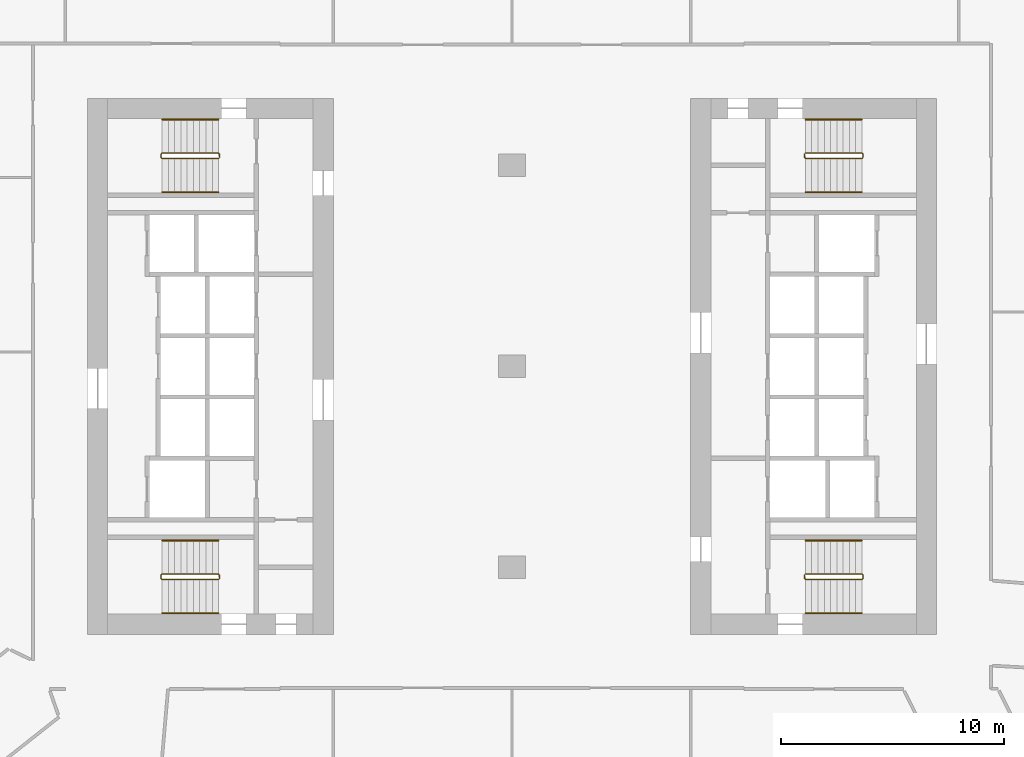
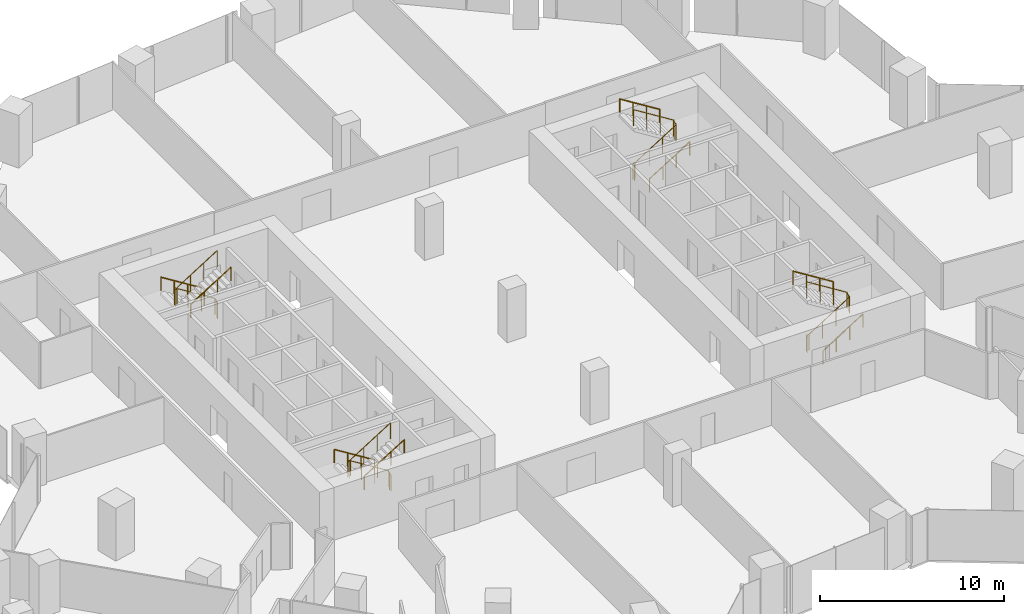
# One storey, part 34 of 34: 12 railings.
"""IFC4 building model written with IfcOpenShell, lengths in metres."""

from ifc_helpers import new_model, si_unit, direction, frame, origin, origin_2d, place, context, subcontext, project, spatial, circle, extrude, material, type_object, element, save


model = new_model("IFC4")

# Units and contexts
model_context = context("Model", 3, precision=1e-05, world=origin(), true_north=direction((0.0, 1.0)))
body_context = subcontext(model_context, "Body", "Model", "MODEL_VIEW")
ifc_project = project(units=[si_unit("LENGTHUNIT", "METRE"), si_unit("AREAUNIT", "SQUARE_METRE"), si_unit("VOLUMEUNIT", "CUBIC_METRE"), si_unit("PLANEANGLEUNIT", "RADIAN"), si_unit("MASSUNIT", "GRAM", prefix="KILO")], contexts=[model_context])

# Site, building, storey
site_placement = place(None, origin())
site = spatial("IfcSite", under=ifc_project, at=site_placement, CompositionType="ELEMENT")
building_placement = place(site_placement, origin())
building = spatial("IfcBuilding", under=site, at=building_placement, Name="Orlundy Tower", CompositionType="ELEMENT")
storey_placement = place(building_placement, frame((0.0, 0.0, 44.300048828125)))
storey = spatial("IfcBuildingStorey", under=building, at=storey_placement, Name="L09", CompositionType="ELEMENT", Elevation=44.300048828125)

# Railings
ifc_material_1 = material(Name="Steel balustrade", Category="steel")
railing_type_1 = type_object("IfcRailingType", Name="Stair Guard 1100", PredefinedType="GUARDRAIL", material=ifc_material_1)
railing_1_placement = place(storey_placement, frame((-13.090087890625, 9.5, 0.0)))
element("IfcRailing", 1, at=railing_1_placement, inside=storey, type_object=railing_type_1, Name="L09 ST-W1 stair guard 1", PredefinedType="GUARDRAIL", context=body_context, shape_type="SweptSolid", body=[
    extrude(circle(Radius=0.02392578125, at=origin_2d()), frame((0.0, 0.0, 1.076171875), z_axis=(0.0, -1.0, 0.0), x_axis=(1.0, 0.0, 0.0)), (0.0, 0.0, 1.0), 0.14990234375),
    extrude(circle(Radius=0.02392578125, at=origin_2d()), frame((0.0, -0.14990234375, 1.076171875), z_axis=(-0.18420542264, 0.739530593833, 0.647427882513), x_axis=(-0.970351222016, -0.241699205484, 0.0)), (0.0, 0.0, 1.0), 0.270263671875),
    extrude(circle(Radius=0.02392578125, at=origin_2d()), frame((-0.0498046875, 0.050048828125, 1.2509765625), z_axis=(-0.848007534815, 0.0, 0.529984170421), x_axis=(0.0, -1.0, 0.0)), (0.0, 0.0, 1.0), 2.9716796875),
    extrude(circle(Radius=0.02392578125, at=origin_2d()), frame((-2.56982421875, 0.050048828125, 2.826171875), z_axis=(-0.707106781187, -0.707106781187, 0.0), x_axis=(0.707106781187, -0.707106781187, 0.0)), (0.0, 0.0, 1.0), 0.07080078125),
    extrude(circle(Radius=0.02392578125, at=origin_2d()), frame((-2.619873046875, 0.0, 2.826171875), z_axis=(0.0, -1.0, 0.0), x_axis=(1.0, 0.0, 0.0)), (0.0, 0.0, 1.0), 0.14990234375),
    extrude(circle(Radius=0.02392578125, at=origin_2d()), frame((-2.619873046875, -0.14990234375, 2.826171875), z_axis=(0.265065253269, -0.265065253269, 0.927081885822), x_axis=(0.707106781187, 0.707106781187, 0.0)), (0.0, 0.0, 1.0), 0.188720703125),
    extrude(circle(Radius=0.02392578125, at=origin_2d()), frame((-2.56982421875, -0.199951171875, 3.0009765625), z_axis=(0.848007534815, 0.0, 0.529984170421), x_axis=(0.0, 1.0, 0.0)), (0.0, 0.0, 1.0), 2.9716796875),
    extrude(circle(Radius=0.02099609375, at=origin_2d()), origin(), (0.0, 0.0, 1.0), 1.052001953125),
    extrude(circle(Radius=0.02099609375, at=origin_2d()), frame((0.0, -0.14990234375, 0.0)), (0.0, 0.0, 1.0), 1.052001953125),
    extrude(circle(Radius=0.02099609375, at=origin_2d()), frame((-0.0498046875, 0.050048828125, 0.175048828125)), (0.0, 0.0, 1.0), 1.052001953125),
    extrude(circle(Radius=0.02099609375, at=origin_2d()), frame((-0.889892578125, 0.050048828125, 0.699951171875)), (0.0, 0.0, 1.0), 1.052001953125),
    extrude(circle(Radius=0.02099609375, at=origin_2d()), frame((-1.729736328125, 0.050048828125, 1.22509765625)), (0.0, 0.0, 1.0), 1.052001953125),
    extrude(circle(Radius=0.02099609375, at=origin_2d()), frame((-2.56982421875, 0.050048828125, 1.75)), (0.0, 0.0, 1.0), 1.052001953125),
    extrude(circle(Radius=0.02099609375, at=origin_2d()), frame((-2.619873046875, 0.0, 1.75)), (0.0, 0.0, 1.0), 1.052001953125),
    extrude(circle(Radius=0.02099609375, at=origin_2d()), frame((-2.619873046875, -0.14990234375, 1.75)), (0.0, 0.0, 1.0), 1.052001953125),
    extrude(circle(Radius=0.02099609375, at=origin_2d()), frame((-2.56982421875, -0.199951171875, 1.925048828125)), (0.0, 0.0, 1.0), 1.052001953125),
    extrude(circle(Radius=0.02099609375, at=origin_2d()), frame((-1.729736328125, -0.199951171875, 2.449951171875)), (0.0, 0.0, 1.0), 1.052001953125),
    extrude(circle(Radius=0.02099609375, at=origin_2d()), frame((-0.889892578125, -0.199951171875, 2.97509765625)), (0.0, 0.0, 1.0), 1.052001953125),
    extrude(circle(Radius=0.02099609375, at=origin_2d()), frame((-0.0498046875, -0.199951171875, 3.5)), (0.0, 0.0, 1.0), 1.052001953125),
])
railing_2_placement = place(storey_placement, frame((-13.090087890625, -9.35009765625, 0.0)))
element("IfcRailing", 2, at=railing_2_placement, inside=storey, type_object=railing_type_1, Name="L09 ST-W2 stair guard 1", PredefinedType="GUARDRAIL", context=body_context, shape_type="SweptSolid", body=[
    extrude(circle(Radius=0.02392578125, at=origin_2d()), frame((0.0, 0.0, 1.076171875), z_axis=(0.0, -1.0, 0.0), x_axis=(1.0, 0.0, 0.0)), (0.0, 0.0, 1.0), 0.14990234375),
    extrude(circle(Radius=0.02392578125, at=origin_2d()), frame((0.0, -0.14990234375, 1.076171875), z_axis=(-0.18420542264, 0.739530593833, 0.647427882513), x_axis=(-0.970351222016, -0.241699205484, 0.0)), (0.0, 0.0, 1.0), 0.270263671875),
    extrude(circle(Radius=0.02392578125, at=origin_2d()), frame((-0.0498046875, 0.050048828125, 1.2509765625), z_axis=(-0.848007534815, 0.0, 0.529984170421), x_axis=(0.0, -1.0, 0.0)), (0.0, 0.0, 1.0), 2.9716796875),
    extrude(circle(Radius=0.02392578125, at=origin_2d()), frame((-2.56982421875, 0.050048828125, 2.826171875), z_axis=(-0.707106781187, -0.707106781187, 0.0), x_axis=(0.707106781187, -0.707106781187, 0.0)), (0.0, 0.0, 1.0), 0.07080078125),
    extrude(circle(Radius=0.02392578125, at=origin_2d()), frame((-2.619873046875, 0.0, 2.826171875), z_axis=(0.0, -1.0, 0.0), x_axis=(1.0, 0.0, 0.0)), (0.0, 0.0, 1.0), 0.14990234375),
    extrude(circle(Radius=0.02392578125, at=origin_2d()), frame((-2.619873046875, -0.14990234375, 2.826171875), z_axis=(0.265065253269, -0.265065253269, 0.927081885822), x_axis=(0.707106781187, 0.707106781187, 0.0)), (0.0, 0.0, 1.0), 0.188720703125),
    extrude(circle(Radius=0.02392578125, at=origin_2d()), frame((-2.56982421875, -0.199951171875, 3.0009765625), z_axis=(0.848007534815, 0.0, 0.529984170421), x_axis=(0.0, 1.0, 0.0)), (0.0, 0.0, 1.0), 2.9716796875),
    extrude(circle(Radius=0.02099609375, at=origin_2d()), origin(), (0.0, 0.0, 1.0), 1.052001953125),
    extrude(circle(Radius=0.02099609375, at=origin_2d()), frame((0.0, -0.14990234375, 0.0)), (0.0, 0.0, 1.0), 1.052001953125),
    extrude(circle(Radius=0.02099609375, at=origin_2d()), frame((-0.0498046875, 0.050048828125, 0.175048828125)), (0.0, 0.0, 1.0), 1.052001953125),
    extrude(circle(Radius=0.02099609375, at=origin_2d()), frame((-0.889892578125, 0.050048828125, 0.699951171875)), (0.0, 0.0, 1.0), 1.052001953125),
    extrude(circle(Radius=0.02099609375, at=origin_2d()), frame((-1.729736328125, 0.050048828125, 1.22509765625)), (0.0, 0.0, 1.0), 1.052001953125),
    extrude(circle(Radius=0.02099609375, at=origin_2d()), frame((-2.56982421875, 0.050048828125, 1.75)), (0.0, 0.0, 1.0), 1.052001953125),
    extrude(circle(Radius=0.02099609375, at=origin_2d()), frame((-2.619873046875, 0.0, 1.75)), (0.0, 0.0, 1.0), 1.052001953125),
    extrude(circle(Radius=0.02099609375, at=origin_2d()), frame((-2.619873046875, -0.14990234375, 1.75)), (0.0, 0.0, 1.0), 1.052001953125),
    extrude(circle(Radius=0.02099609375, at=origin_2d()), frame((-2.56982421875, -0.199951171875, 1.925048828125)), (0.0, 0.0, 1.0), 1.052001953125),
    extrude(circle(Radius=0.02099609375, at=origin_2d()), frame((-1.729736328125, -0.199951171875, 2.449951171875)), (0.0, 0.0, 1.0), 1.052001953125),
    extrude(circle(Radius=0.02099609375, at=origin_2d()), frame((-0.889892578125, -0.199951171875, 2.97509765625)), (0.0, 0.0, 1.0), 1.052001953125),
    extrude(circle(Radius=0.02099609375, at=origin_2d()), frame((-0.0498046875, -0.199951171875, 3.5)), (0.0, 0.0, 1.0), 1.052001953125),
])
railing_3_placement = place(storey_placement, frame((13.090087890625, -9.5, 0.0)))
element("IfcRailing", 3, at=railing_3_placement, inside=storey, type_object=railing_type_1, Name="L09 ST-E1 stair guard 1", PredefinedType="GUARDRAIL", context=body_context, shape_type="SweptSolid", body=[
    extrude(circle(Radius=0.02392578125, at=origin_2d()), frame((0.0, 0.0, 1.076171875), z_axis=(0.0, 1.0, 0.0), x_axis=(-1.0, 0.0, 0.0)), (0.0, 0.0, 1.0), 0.14990234375),
    extrude(circle(Radius=0.02392578125, at=origin_2d()), frame((0.0, 0.14990234375, 1.076171875), z_axis=(0.18420542264, -0.739530593833, 0.647427882513), x_axis=(0.970351222016, 0.241699205484, 0.0)), (0.0, 0.0, 1.0), 0.270263671875),
    extrude(circle(Radius=0.02392578125, at=origin_2d()), frame((0.0498046875, -0.050048828125, 1.2509765625), z_axis=(0.848007534815, 0.0, 0.529984170421), x_axis=(0.0, 1.0, 0.0)), (0.0, 0.0, 1.0), 2.9716796875),
    extrude(circle(Radius=0.02392578125, at=origin_2d()), frame((2.56982421875, -0.050048828125, 2.826171875), z_axis=(0.707106781187, 0.707106781187, 0.0), x_axis=(-0.707106781187, 0.707106781187, 0.0)), (0.0, 0.0, 1.0), 0.07080078125),
    extrude(circle(Radius=0.02392578125, at=origin_2d()), frame((2.619873046875, 0.0, 2.826171875), z_axis=(0.0, 1.0, 0.0), x_axis=(-1.0, 0.0, 0.0)), (0.0, 0.0, 1.0), 0.14990234375),
    extrude(circle(Radius=0.02392578125, at=origin_2d()), frame((2.619873046875, 0.14990234375, 2.826171875), z_axis=(-0.265065253269, 0.265065253269, 0.927081885822), x_axis=(-0.707106781187, -0.707106781187, 0.0)), (0.0, 0.0, 1.0), 0.188720703125),
    extrude(circle(Radius=0.02392578125, at=origin_2d()), frame((2.56982421875, 0.199951171875, 3.0009765625), z_axis=(-0.848007534815, 0.0, 0.529984170421), x_axis=(0.0, -1.0, 0.0)), (0.0, 0.0, 1.0), 2.9716796875),
    extrude(circle(Radius=0.02099609375, at=origin_2d()), origin(), (0.0, 0.0, 1.0), 1.052001953125),
    extrude(circle(Radius=0.02099609375, at=origin_2d()), frame((0.0, 0.14990234375, 0.0)), (0.0, 0.0, 1.0), 1.052001953125),
    extrude(circle(Radius=0.02099609375, at=origin_2d()), frame((0.0498046875, -0.050048828125, 0.175048828125)), (0.0, 0.0, 1.0), 1.052001953125),
    extrude(circle(Radius=0.02099609375, at=origin_2d()), frame((0.889892578125, -0.050048828125, 0.699951171875)), (0.0, 0.0, 1.0), 1.052001953125),
    extrude(circle(Radius=0.02099609375, at=origin_2d()), frame((1.729736328125, -0.050048828125, 1.22509765625)), (0.0, 0.0, 1.0), 1.052001953125),
    extrude(circle(Radius=0.02099609375, at=origin_2d()), frame((2.56982421875, -0.050048828125, 1.75)), (0.0, 0.0, 1.0), 1.052001953125),
    extrude(circle(Radius=0.02099609375, at=origin_2d()), frame((2.619873046875, 0.0, 1.75)), (0.0, 0.0, 1.0), 1.052001953125),
    extrude(circle(Radius=0.02099609375, at=origin_2d()), frame((2.619873046875, 0.14990234375, 1.75)), (0.0, 0.0, 1.0), 1.052001953125),
    extrude(circle(Radius=0.02099609375, at=origin_2d()), frame((2.56982421875, 0.199951171875, 1.925048828125)), (0.0, 0.0, 1.0), 1.052001953125),
    extrude(circle(Radius=0.02099609375, at=origin_2d()), frame((1.729736328125, 0.199951171875, 2.449951171875)), (0.0, 0.0, 1.0), 1.052001953125),
    extrude(circle(Radius=0.02099609375, at=origin_2d()), frame((0.889892578125, 0.199951171875, 2.97509765625)), (0.0, 0.0, 1.0), 1.052001953125),
    extrude(circle(Radius=0.02099609375, at=origin_2d()), frame((0.0498046875, 0.199951171875, 3.5)), (0.0, 0.0, 1.0), 1.052001953125),
])
railing_4_placement = place(storey_placement, frame((13.090087890625, 9.35009765625, 0.0)))
element("IfcRailing", 4, at=railing_4_placement, inside=storey, type_object=railing_type_1, Name="L09 ST-E2 stair guard 1", PredefinedType="GUARDRAIL", context=body_context, shape_type="SweptSolid", body=[
    extrude(circle(Radius=0.02392578125, at=origin_2d()), frame((0.0, 0.0, 1.076171875), z_axis=(0.0, 1.0, 0.0), x_axis=(-1.0, 0.0, 0.0)), (0.0, 0.0, 1.0), 0.14990234375),
    extrude(circle(Radius=0.02392578125, at=origin_2d()), frame((0.0, 0.14990234375, 1.076171875), z_axis=(0.18420542264, -0.739530593833, 0.647427882513), x_axis=(0.970351222016, 0.241699205484, 0.0)), (0.0, 0.0, 1.0), 0.270263671875),
    extrude(circle(Radius=0.02392578125, at=origin_2d()), frame((0.0498046875, -0.050048828125, 1.2509765625), z_axis=(0.848007534815, 0.0, 0.529984170421), x_axis=(0.0, 1.0, 0.0)), (0.0, 0.0, 1.0), 2.9716796875),
    extrude(circle(Radius=0.02392578125, at=origin_2d()), frame((2.56982421875, -0.050048828125, 2.826171875), z_axis=(0.707106781187, 0.707106781187, 0.0), x_axis=(-0.707106781187, 0.707106781187, 0.0)), (0.0, 0.0, 1.0), 0.07080078125),
    extrude(circle(Radius=0.02392578125, at=origin_2d()), frame((2.619873046875, 0.0, 2.826171875), z_axis=(0.0, 1.0, 0.0), x_axis=(-1.0, 0.0, 0.0)), (0.0, 0.0, 1.0), 0.14990234375),
    extrude(circle(Radius=0.02392578125, at=origin_2d()), frame((2.619873046875, 0.14990234375, 2.826171875), z_axis=(-0.265065253269, 0.265065253269, 0.927081885822), x_axis=(-0.707106781187, -0.707106781187, 0.0)), (0.0, 0.0, 1.0), 0.188720703125),
    extrude(circle(Radius=0.02392578125, at=origin_2d()), frame((2.56982421875, 0.199951171875, 3.0009765625), z_axis=(-0.848007534815, 0.0, 0.529984170421), x_axis=(0.0, -1.0, 0.0)), (0.0, 0.0, 1.0), 2.9716796875),
    extrude(circle(Radius=0.02099609375, at=origin_2d()), origin(), (0.0, 0.0, 1.0), 1.052001953125),
    extrude(circle(Radius=0.02099609375, at=origin_2d()), frame((0.0, 0.14990234375, 0.0)), (0.0, 0.0, 1.0), 1.052001953125),
    extrude(circle(Radius=0.02099609375, at=origin_2d()), frame((0.0498046875, -0.050048828125, 0.175048828125)), (0.0, 0.0, 1.0), 1.052001953125),
    extrude(circle(Radius=0.02099609375, at=origin_2d()), frame((0.889892578125, -0.050048828125, 0.699951171875)), (0.0, 0.0, 1.0), 1.052001953125),
    extrude(circle(Radius=0.02099609375, at=origin_2d()), frame((1.729736328125, -0.050048828125, 1.22509765625)), (0.0, 0.0, 1.0), 1.052001953125),
    extrude(circle(Radius=0.02099609375, at=origin_2d()), frame((2.56982421875, -0.050048828125, 1.75)), (0.0, 0.0, 1.0), 1.052001953125),
    extrude(circle(Radius=0.02099609375, at=origin_2d()), frame((2.619873046875, 0.0, 1.75)), (0.0, 0.0, 1.0), 1.052001953125),
    extrude(circle(Radius=0.02099609375, at=origin_2d()), frame((2.619873046875, 0.14990234375, 1.75)), (0.0, 0.0, 1.0), 1.052001953125),
    extrude(circle(Radius=0.02099609375, at=origin_2d()), frame((2.56982421875, 0.199951171875, 1.925048828125)), (0.0, 0.0, 1.0), 1.052001953125),
    extrude(circle(Radius=0.02099609375, at=origin_2d()), frame((1.729736328125, 0.199951171875, 2.449951171875)), (0.0, 0.0, 1.0), 1.052001953125),
    extrude(circle(Radius=0.02099609375, at=origin_2d()), frame((0.889892578125, 0.199951171875, 2.97509765625)), (0.0, 0.0, 1.0), 1.052001953125),
    extrude(circle(Radius=0.02099609375, at=origin_2d()), frame((0.0498046875, 0.199951171875, 3.5)), (0.0, 0.0, 1.0), 1.052001953125),
])
ifc_material_2 = material(Name="Steel handrail", Category="steel")
railing_type_2 = type_object("IfcRailingType", Name="Stair Handrail 900", PredefinedType="HANDRAIL", material=ifc_material_2)
railing_5_placement = place(storey_placement, frame((-13.139892578125, 11.050048828125, 0.175048828125)))
element("IfcRailing", 5, at=railing_5_placement, inside=storey, type_object=railing_type_2, Name="L09 ST-W1 stair handrail 1", PredefinedType="HANDRAIL", context=body_context, shape_type="SweptSolid", body=[
    extrude(circle(Radius=0.02392578125, at=origin_2d()), frame((0.0, 0.0, 0.8759765625), z_axis=(-0.848007534815, 0.0, 0.529984170421), x_axis=(0.0, -1.0, 0.0)), (0.0, 0.0, 1.0), 2.9716796875),
    extrude(circle(Radius=0.02099609375, at=origin_2d()), origin(), (0.0, 0.0, 1.0), 0.851806640625),
    extrude(circle(Radius=0.02099609375, at=origin_2d()), frame((-0.840087890625, 0.0, 0.52490234375)), (0.0, 0.0, 1.0), 0.851806640625),
    extrude(circle(Radius=0.02099609375, at=origin_2d()), frame((-1.679931640625, 0.0, 1.050048828125)), (0.0, 0.0, 1.0), 0.851806640625),
    extrude(circle(Radius=0.02099609375, at=origin_2d()), frame((-2.52001953125, 0.0, 1.574951171875)), (0.0, 0.0, 1.0), 0.851806640625),
])
railing_6_placement = place(storey_placement, frame((-15.659912109375, 7.800048828125, 1.925048828125)))
element("IfcRailing", 6, at=railing_6_placement, inside=storey, type_object=railing_type_2, Name="L09 ST-W1 stair handrail 2", PredefinedType="HANDRAIL", context=body_context, shape_type="SweptSolid", body=[
    extrude(circle(Radius=0.02392578125, at=origin_2d()), frame((0.0, 0.0, 0.8759765625), z_axis=(0.848007534815, 0.0, 0.529984170421), x_axis=(0.0, 1.0, 0.0)), (0.0, 0.0, 1.0), 2.9716796875),
    extrude(circle(Radius=0.02099609375, at=origin_2d()), origin(), (0.0, 0.0, 1.0), 0.851806640625),
    extrude(circle(Radius=0.02099609375, at=origin_2d()), frame((0.840087890625, 0.0, 0.52490234375)), (0.0, 0.0, 1.0), 0.851806640625),
    extrude(circle(Radius=0.02099609375, at=origin_2d()), frame((1.679931640625, 0.0, 1.050048828125)), (0.0, 0.0, 1.0), 0.851806640625),
    extrude(circle(Radius=0.02099609375, at=origin_2d()), frame((2.52001953125, 0.0, 1.574951171875)), (0.0, 0.0, 1.0), 0.851806640625),
])
railing_7_placement = place(storey_placement, frame((-13.139892578125, -7.800048828125, 0.175048828125)))
element("IfcRailing", 7, at=railing_7_placement, inside=storey, type_object=railing_type_2, Name="L09 ST-W2 stair handrail 1", PredefinedType="HANDRAIL", context=body_context, shape_type="SweptSolid", body=[
    extrude(circle(Radius=0.02392578125, at=origin_2d()), frame((0.0, 0.0, 0.8759765625), z_axis=(-0.848007534815, 0.0, 0.529984170421), x_axis=(0.0, -1.0, 0.0)), (0.0, 0.0, 1.0), 2.9716796875),
    extrude(circle(Radius=0.02099609375, at=origin_2d()), origin(), (0.0, 0.0, 1.0), 0.851806640625),
    extrude(circle(Radius=0.02099609375, at=origin_2d()), frame((-0.840087890625, 0.0, 0.52490234375)), (0.0, 0.0, 1.0), 0.851806640625),
    extrude(circle(Radius=0.02099609375, at=origin_2d()), frame((-1.679931640625, 0.0, 1.050048828125)), (0.0, 0.0, 1.0), 0.851806640625),
    extrude(circle(Radius=0.02099609375, at=origin_2d()), frame((-2.52001953125, 0.0, 1.574951171875)), (0.0, 0.0, 1.0), 0.851806640625),
])
for number, where, name in (
    (8, (-15.659912109375, -11.050048828125, 1.925048828125), "L09 ST-W2 stair handrail 2"),
    (9, (13.139892578125, -11.050048828125, 0.175048828125), "L09 ST-E1 stair handrail 1"),
):
    element("IfcRailing", number, at=place(storey_placement, frame(where)), inside=storey, type_object=railing_type_2, Name=name, PredefinedType="HANDRAIL", context=body_context, shape_type="SweptSolid", body=[
        extrude(circle(Radius=0.02392578125, at=origin_2d()), frame((0.0, 0.0, 0.8759765625), z_axis=(0.848007534815, 0.0, 0.529984170421), x_axis=(0.0, 1.0, 0.0)), (0.0, 0.0, 1.0), 2.9716796875),
        extrude(circle(Radius=0.02099609375, at=origin_2d()), origin(), (0.0, 0.0, 1.0), 0.851806640625),
        extrude(circle(Radius=0.02099609375, at=origin_2d()), frame((0.840087890625, 0.0, 0.52490234375)), (0.0, 0.0, 1.0), 0.851806640625),
        extrude(circle(Radius=0.02099609375, at=origin_2d()), frame((1.679931640625, 0.0, 1.050048828125)), (0.0, 0.0, 1.0), 0.851806640625),
        extrude(circle(Radius=0.02099609375, at=origin_2d()), frame((2.52001953125, 0.0, 1.574951171875)), (0.0, 0.0, 1.0), 0.851806640625),
    ])
railing_8_placement = place(storey_placement, frame((15.659912109375, -7.800048828125, 1.925048828125)))
element("IfcRailing", 10, at=railing_8_placement, inside=storey, type_object=railing_type_2, Name="L09 ST-E1 stair handrail 2", PredefinedType="HANDRAIL", context=body_context, shape_type="SweptSolid", body=[
    extrude(circle(Radius=0.02392578125, at=origin_2d()), frame((0.0, 0.0, 0.8759765625), z_axis=(-0.848007534815, 0.0, 0.529984170421), x_axis=(0.0, -1.0, 0.0)), (0.0, 0.0, 1.0), 2.9716796875),
    extrude(circle(Radius=0.02099609375, at=origin_2d()), origin(), (0.0, 0.0, 1.0), 0.851806640625),
    extrude(circle(Radius=0.02099609375, at=origin_2d()), frame((-0.840087890625, 0.0, 0.52490234375)), (0.0, 0.0, 1.0), 0.851806640625),
    extrude(circle(Radius=0.02099609375, at=origin_2d()), frame((-1.679931640625, 0.0, 1.050048828125)), (0.0, 0.0, 1.0), 0.851806640625),
    extrude(circle(Radius=0.02099609375, at=origin_2d()), frame((-2.52001953125, 0.0, 1.574951171875)), (0.0, 0.0, 1.0), 0.851806640625),
])
railing_9_placement = place(storey_placement, frame((13.139892578125, 7.800048828125, 0.175048828125)))
element("IfcRailing", 11, at=railing_9_placement, inside=storey, type_object=railing_type_2, Name="L09 ST-E2 stair handrail 1", PredefinedType="HANDRAIL", context=body_context, shape_type="SweptSolid", body=[
    extrude(circle(Radius=0.02392578125, at=origin_2d()), frame((0.0, 0.0, 0.8759765625), z_axis=(0.848007534815, 0.0, 0.529984170421), x_axis=(0.0, 1.0, 0.0)), (0.0, 0.0, 1.0), 2.9716796875),
    extrude(circle(Radius=0.02099609375, at=origin_2d()), origin(), (0.0, 0.0, 1.0), 0.851806640625),
    extrude(circle(Radius=0.02099609375, at=origin_2d()), frame((0.840087890625, 0.0, 0.52490234375)), (0.0, 0.0, 1.0), 0.851806640625),
    extrude(circle(Radius=0.02099609375, at=origin_2d()), frame((1.679931640625, 0.0, 1.050048828125)), (0.0, 0.0, 1.0), 0.851806640625),
    extrude(circle(Radius=0.02099609375, at=origin_2d()), frame((2.52001953125, 0.0, 1.574951171875)), (0.0, 0.0, 1.0), 0.851806640625),
])
railing_10_placement = place(storey_placement, frame((15.659912109375, 11.050048828125, 1.925048828125)))
element("IfcRailing", 12, at=railing_10_placement, inside=storey, type_object=railing_type_2, Name="L09 ST-E2 stair handrail 2", PredefinedType="HANDRAIL", context=body_context, shape_type="SweptSolid", body=[
    extrude(circle(Radius=0.02392578125, at=origin_2d()), frame((0.0, 0.0, 0.8759765625), z_axis=(-0.848007534815, 0.0, 0.529984170421), x_axis=(0.0, -1.0, 0.0)), (0.0, 0.0, 1.0), 2.9716796875),
    extrude(circle(Radius=0.02099609375, at=origin_2d()), origin(), (0.0, 0.0, 1.0), 0.851806640625),
    extrude(circle(Radius=0.02099609375, at=origin_2d()), frame((-0.840087890625, 0.0, 0.52490234375)), (0.0, 0.0, 1.0), 0.851806640625),
    extrude(circle(Radius=0.02099609375, at=origin_2d()), frame((-1.679931640625, 0.0, 1.050048828125)), (0.0, 0.0, 1.0), 0.851806640625),
    extrude(circle(Radius=0.02099609375, at=origin_2d()), frame((-2.52001953125, 0.0, 1.574951171875)), (0.0, 0.0, 1.0), 0.851806640625),
])

save(model, "model.ifc")
